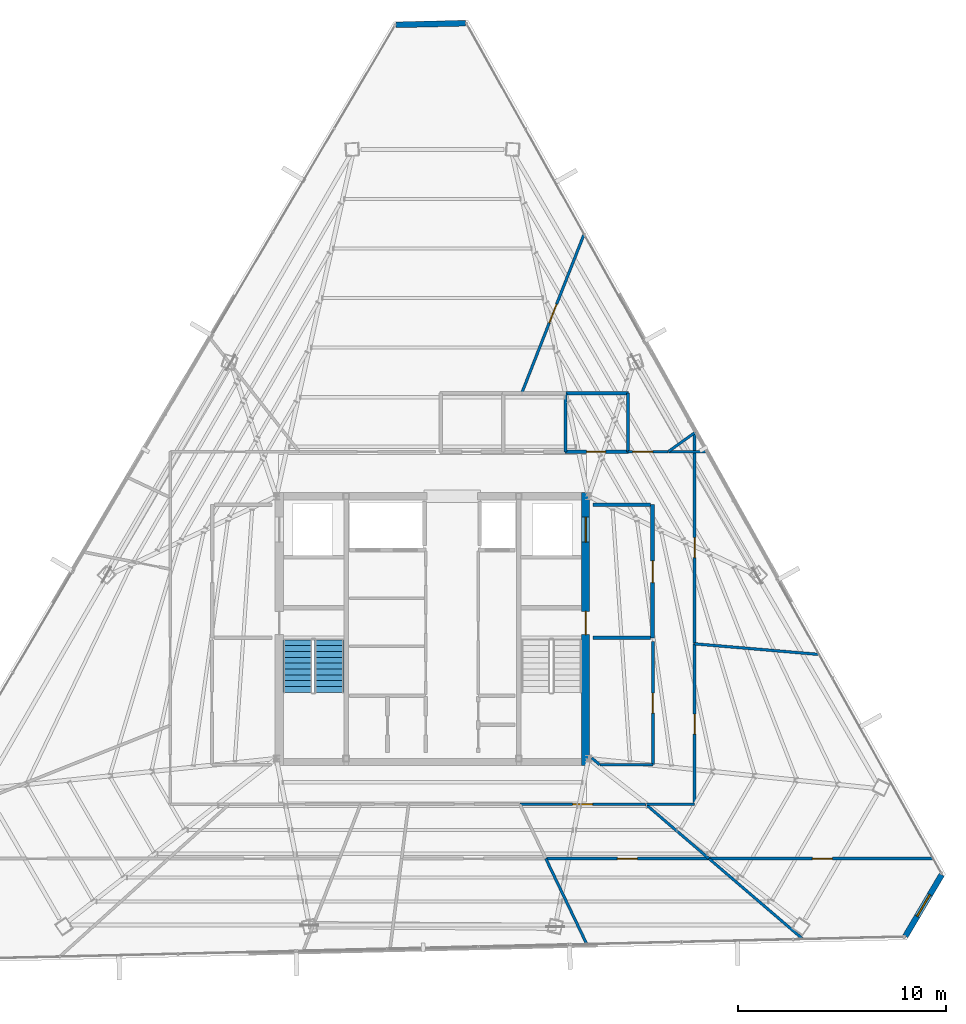
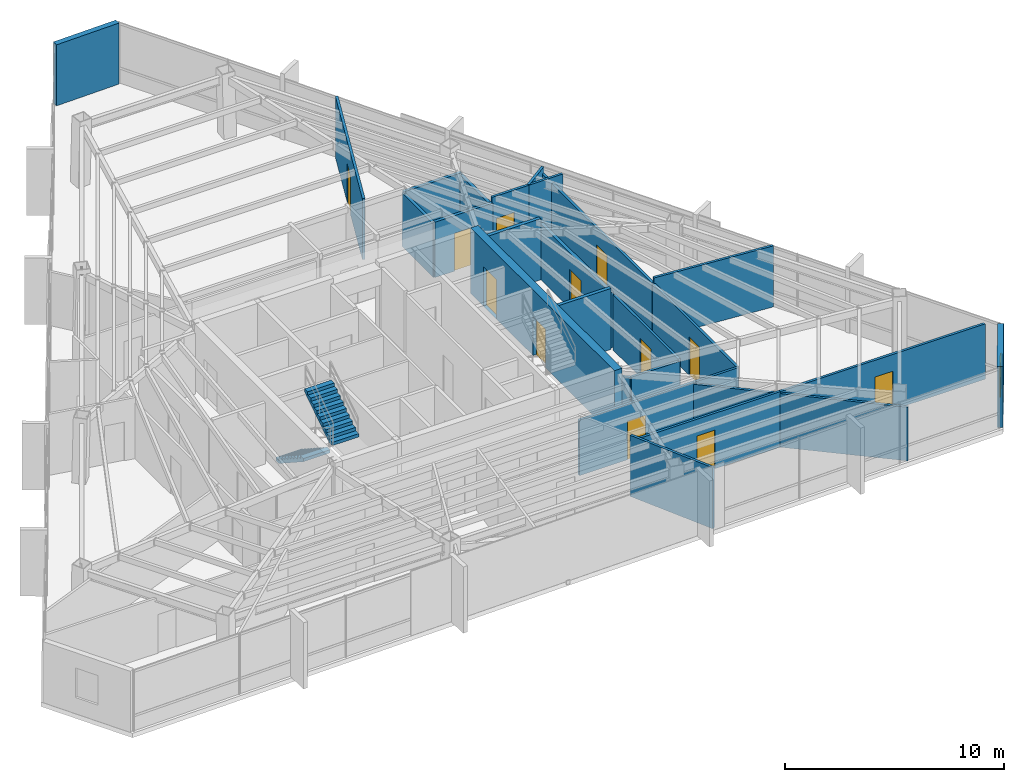
# One storey, part 44 of 47: 27 walls, 12 doors, 2 stair flights, 1 window, 13 openings, 1 element without a shape of its own.
"""IFC4 building model written with IfcOpenShell, lengths in metres."""

import ifcopenshell
import ifcopenshell.guid

model = None  # the IFC model being written
_history = None  # IfcOwnerHistory: only IFC2X3 demands one
_inside = {}  # id of a spatial element -> (the spatial element, [elements in it])
_under = {}  # id of a project, library or spatial element -> (it, [spatial elements below it])
_declared = {}  # id of a project -> (the project, [libraries it declares])
_typed = {}  # id of a type object -> (the type object, [elements of that type])
_made_of = {}  # id of a material, layer set ... -> (it, [elements and type objects made of it])


def new_model(schema):
    """Start an empty IFC model of exactly this schema.

    Asked for "IFC4X3", IfcOpenShell would pick the latest addendum, in which some entities
    have other attributes; the version numbers below select the first issue.
    IFC2X3 requires an IfcOwnerHistory on every rooted entity: one is made here for all.
    """
    global model, _history
    if schema == "IFC4X3":
        model = ifcopenshell.file(schema_version=(4, 3, 0, 0))
    else:
        model = ifcopenshell.file(schema=schema)
    _inside.clear()
    _under.clear()
    _declared.clear()
    _typed.clear()
    _made_of.clear()
    _history = None
    if model.schema == "IFC2X3":
        org = make("IfcOrganization", Name="unknown")
        user = make(
            "IfcPersonAndOrganization",
            ThePerson=make("IfcPerson", FamilyName="unknown"),
            TheOrganization=org,
        )
        app = make(
            "IfcApplication",
            ApplicationDeveloper=org,
            Version="unknown",
            ApplicationFullName="unknown",
            ApplicationIdentifier="unknown",
        )
        _history = make(
            "IfcOwnerHistory",
            OwningUser=user,
            OwningApplication=app,
            ChangeAction="ADDED",
            CreationDate=0,
        )
    return model


def make(cls, **values):
    """One entity of the class cls with the attributes given. An attribute that is None is left unset."""
    return model.create_entity(
        cls, **{name: value for name, value in values.items() if value is not None}
    )


def rooted(cls, **values):
    """An entity with a GlobalId (a new one), such as an element, a storey or a relation."""
    return make(cls, GlobalId=ifcopenshell.guid.new(), OwnerHistory=_history, **values)


def si_unit(unit_type, name, prefix=None):
    """IfcSIUnit, for example si_unit("LENGTHUNIT", "METRE", prefix="MILLI")."""
    return make("IfcSIUnit", UnitType=unit_type, Prefix=prefix, Name=name)


def assignment(units):
    """IfcUnitAssignment: the units of a project."""
    return None if units is None else make("IfcUnitAssignment", Units=units)


def point(xyz):
    """IfcCartesianPoint."""
    return None if xyz is None else make("IfcCartesianPoint", Coordinates=xyz)


def direction(xyz):
    """IfcDirection."""
    return None if xyz is None else make("IfcDirection", DirectionRatios=xyz)


def frame(location, z_axis=None, x_axis=None):
    """IfcAxis2Placement3D, a coordinate frame: its origin and axes. An axis left out is left unset."""
    return make(
        "IfcAxis2Placement3D",
        Location=point(location),
        Axis=direction(z_axis),
        RefDirection=direction(x_axis),
    )


def frame_2d(location, x_axis=None):
    """IfcAxis2Placement2D, a coordinate frame in the plane: its origin and x axis."""
    return make(
        "IfcAxis2Placement2D", Location=point(location), RefDirection=direction(x_axis)
    )


def origin():
    """The frame at (0, 0, 0) with its axes left unset."""
    return frame((0.0, 0.0, 0.0))


def place(relative_to, where):
    """IfcLocalPlacement: puts the frame where relative to a parent placement (None: the world)."""
    return make(
        "IfcLocalPlacement", PlacementRelTo=relative_to, RelativePlacement=where
    )


def context(
    kind, dimensions, precision=None, world=None, true_north=None, identifier=None
):
    """IfcGeometricRepresentationContext, for example the 3D "Model" context."""
    return make(
        "IfcGeometricRepresentationContext",
        ContextIdentifier=identifier,
        ContextType=kind,
        CoordinateSpaceDimension=dimensions,
        Precision=precision,
        WorldCoordinateSystem=world,
        TrueNorth=true_north,
    )


def subcontext(parent, identifier, kind, view, scale=None):
    """IfcGeometricRepresentationSubContext, for example "Body" below "Model"."""
    return make(
        "IfcGeometricRepresentationSubContext",
        ContextIdentifier=identifier,
        ContextType=kind,
        ParentContext=parent,
        TargetScale=scale,
        TargetView=view,
    )


def project(units=None, contexts=None):
    """IfcProject with its units and contexts."""
    return rooted(
        "IfcProject",
        Name="project",
        RepresentationContexts=contexts,
        UnitsInContext=assignment(units),
    )


def spatial(cls, under=None, at=None, **own):
    """A site, building, storey or space (cls), placed at a placement, below another one or the project."""
    s = rooted(cls, ObjectPlacement=at, **own)
    if under is not None:
        _under.setdefault(under.id(), (under, []))[1].append(s)
    return s


def polyline(points):
    """IfcPolyline through the points."""
    return make("IfcPolyline", Points=[point(p) for p in points])


def profile(cls, at=None, kind="AREA", **sizes):
    """A parametric profile (cls). Its sizes go by their IFC names, for example OverallWidth=200.0."""
    return make(cls, ProfileType=kind, Position=at, **sizes)


def rectangle(**sizes):
    """IfcRectangleProfileDef."""
    return profile("IfcRectangleProfileDef", **sizes)


def outline(outer, holes=None, kind="AREA"):
    """IfcArbitraryClosedProfileDef: a profile drawn as a closed curve; with holes, ...WithVoids."""
    if holes is None:
        return make("IfcArbitraryClosedProfileDef", ProfileType=kind, OuterCurve=outer)
    return make(
        "IfcArbitraryProfileDefWithVoids",
        ProfileType=kind,
        OuterCurve=outer,
        InnerCurves=holes,
    )


def extrude(swept, where, along, depth):
    """IfcExtrudedAreaSolid: the profile swept, set in the frame where, extruded along a direction by depth."""
    return make(
        "IfcExtrudedAreaSolid",
        SweptArea=swept,
        Position=where,
        ExtrudedDirection=direction(along),
        Depth=depth,
    )


def shape(context_of_items, identifier, shape_type, items):
    """IfcShapeRepresentation: the items that make up one representation, for example the "Body"."""
    return make(
        "IfcShapeRepresentation",
        ContextOfItems=context_of_items,
        RepresentationIdentifier=identifier,
        RepresentationType=shape_type,
        Items=items,
    )


def material(Name=None, Category=None):
    """IfcMaterial."""
    return make("IfcMaterial", Name=Name, Category=Category)


def layer(
    of_material, thickness, ventilated=None, Name=None, Category=None, Priority=None
):
    """IfcMaterialLayer: one layer of a wall or slab, of a material (None: an air gap)."""
    return make(
        "IfcMaterialLayer",
        Material=of_material,
        LayerThickness=thickness,
        IsVentilated=ventilated,
        Name=Name,
        Category=Category,
        Priority=Priority,
    )


def layer_set(layers, Name=None):
    """IfcMaterialLayerSet."""
    return make("IfcMaterialLayerSet", MaterialLayers=layers, LayerSetName=Name)


def made_of(thing, what):
    """Note that an element or type object is made of a material, layer set ...; save() writes the relation."""
    if what is not None:
        _made_of.setdefault(what.id(), (what, []))[1].append(thing)
    return thing


def type_object(cls, material=None, **own):
    """A type object (cls), such as IfcWallType, which elements share."""
    return made_of(rooted(cls, **own), material)


def element(
    cls,
    number,
    at=None,
    inside=None,
    cuts=None,
    type_object=None,
    material=None,
    context=None,
    identifier="Body",
    shape_type=None,
    held_by="IfcProductDefinitionShape",
    body=None,
    shapes=None,
    **own,
):
    """One element of the class cls, such as IfcWall. Its Tag is "e" and its number.

    at: its placement. inside: the storey or other place that contains it. cuts: it is an
    opening in that element (IfcRelVoidsElement). A single representation is given by context,
    identifier, shape_type and body (its items); several are given by shapes. held_by: the class
    of the entity that holds the representations. save() writes the other relations.
    """
    e = rooted(cls, Tag="e%d" % number, ObjectPlacement=at, **own)
    if body is not None:
        shapes = [shape(context, identifier, shape_type, body)]
    if shapes is not None:
        e.Representation = make(held_by, Representations=shapes)
    if inside is not None:
        _inside.setdefault(inside.id(), (inside, []))[1].append(e)
    if cuts is not None:
        rooted(
            "IfcRelVoidsElement", RelatingBuildingElement=cuts, RelatedOpeningElement=e
        )
    if type_object is not None:
        _typed.setdefault(type_object.id(), (type_object, []))[1].append(e)
    return made_of(e, material)


def fill(opening, filler):
    """IfcRelFillsElement: the door or window that sits in an opening."""
    return rooted(
        "IfcRelFillsElement",
        RelatingOpeningElement=opening,
        RelatedBuildingElement=filler,
    )


def aggregate(whole, parts):
    """IfcRelAggregates: a whole, such as a stair, and the parts it consists of."""
    return rooted("IfcRelAggregates", RelatingObject=whole, RelatedObjects=parts)


def save(model, path):
    """Write the relations noted so far, then the file.

    IfcRelAggregates (storeys below a building ...), IfcRelContainedInSpatialStructure (elements
    in a storey), IfcRelDefinesByType, IfcRelAssociatesMaterial and IfcRelDeclares: one each for
    every whole, place, type object, material and project.
    """
    for whole, parts in _under.values():
        aggregate(whole, parts)
    for where, things in _inside.values():
        rooted(
            "IfcRelContainedInSpatialStructure",
            RelatedElements=things,
            RelatingStructure=where,
        )
    for kind, things in _typed.values():
        rooted("IfcRelDefinesByType", RelatedObjects=things, RelatingType=kind)
    for what, things in _made_of.values():
        rooted("IfcRelAssociatesMaterial", RelatedObjects=things, RelatingMaterial=what)
    for by, libraries in _declared.values():
        rooted("IfcRelDeclares", RelatingContext=by, RelatedDefinitions=libraries)
    model.write(path)


model = new_model("IFC4")

# Units and contexts
model_context = context("Model", 3, precision=1e-05, world=origin(), true_north=direction((0.0, 1.0)))
body_context = subcontext(model_context, "Body", "Model", "MODEL_VIEW")
ifc_project = project(units=[si_unit("LENGTHUNIT", "METRE"), si_unit("AREAUNIT", "SQUARE_METRE"), si_unit("VOLUMEUNIT", "CUBIC_METRE"), si_unit("PLANEANGLEUNIT", "RADIAN"), si_unit("MASSUNIT", "GRAM", prefix="KILO")], contexts=[model_context])

# Site, building, storey
site_placement = place(None, origin())
site = spatial("IfcSite", under=ifc_project, at=site_placement, CompositionType="ELEMENT")
building_placement = place(site_placement, origin())
building = spatial("IfcBuilding", under=site, at=building_placement, Name="Caelisora Broadcast Tower", CompositionType="ELEMENT")
storey_placement = place(building_placement, frame((0.0, 0.0, 255.39990234375)))
storey = spatial("IfcBuildingStorey", under=building, at=storey_placement, Name="L67", CompositionType="ELEMENT", Elevation=255.39990234375)

# Wall, openings, doors
ifc_material_1 = material(Name="Concrete 40 MPa (AS 3600 N40)", Category="concrete")
ifc_layer_1 = layer(ifc_material_1, 0.39990234375, Name="Concrete 40 MPa (AS 3600 N40)")
ifc_layer_set_1 = layer_set([ifc_layer_1], Name="Concrete 40 MPa (AS 3600 N40)")
wall_type_1 = type_object("IfcWallType", Name="CW3", PredefinedType="SHEAR", material=ifc_layer_set_1)
wall_1_placement = place(storey_placement, frame((45.360107421875, 17.050048828125, 0.0), z_axis=(0.0, 0.0, 1.0), x_axis=(0.0, 1.0, 0.0)))
wall_1 = element("IfcWall", 1, at=wall_1_placement, inside=storey, type_object=wall_type_1, Name="L67 core shear wall CW3", PredefinedType="SHEAR", context=body_context, shape_type="SweptSolid", body=[
    extrude(rectangle(XDim=13.125, YDim=0.39990234375, at=frame_2d((6.5625, 0.0))), origin(), (0.0, 0.0, 1.0), 3.650146484375),
])
opening_1_placement = place(wall_1_placement, frame((6.300048828125, 0.0, 0.0)))
opening_1 = element("IfcOpeningElement", 2, at=opening_1_placement, cuts=wall_1, Name="Opening FD04", PredefinedType="OPENING", context=body_context, shape_type="SweptSolid", body=[
    extrude(rectangle(XDim=1.1201171875, YDim=2.14990234375, at=frame_2d((0.56005859375, 1.074951171875))), frame((0.0, 0.2119140625, 0.0), z_axis=(0.0, -1.0, 0.0), x_axis=(1.0, 0.0, 0.0)), (0.0, 0.0, 1.0), 0.423828125),
])
opening_2_placement = place(wall_1_placement, frame((10.75, 0.0, 0.0)))
opening_2 = element("IfcOpeningElement", 3, at=opening_2_placement, cuts=wall_1, Name="Opening LD04", PredefinedType="OPENING", context=body_context, shape_type="SweptSolid", body=[
    extrude(rectangle(XDim=1.199951171875, YDim=2.199951171875, at=frame_2d((0.60009765625, 1.10009765625))), frame((0.0, 0.2119140625, 0.0), z_axis=(0.0, -1.0, 0.0), x_axis=(1.0, 0.0, 0.0)), (0.0, 0.0, 1.0), 0.423828125),
])
ifc_material_2 = material(Name="Pressurised Fire-Isolated Stair Door", Category="steel")
door_type_1 = type_object("IfcDoorType", Name="FD04", OperationType="NOTDEFINED", PredefinedType="DOOR", material=ifc_material_2)
door_1_placement = place(opening_1_placement, origin())
door_1 = element("IfcDoor", 4, at=door_1_placement, inside=storey, type_object=door_type_1, Name="L67 door FD04 (L67-DR-ST2)", OperationType="SINGLE_SWING_RIGHT", OverallHeight=2.14990234375, OverallWidth=1.1201171875, PredefinedType="DOOR", context=body_context, shape_type="SweptSolid", body=[
    extrude(rectangle(XDim=1.1201171875, YDim=2.14990234375, at=frame_2d((0.56005859375, 1.074951171875))), frame((0.0, 0.02490234375, 0.0), z_axis=(0.0, -1.0, 0.0), x_axis=(1.0, 0.0, 0.0)), (0.0, 0.0, 1.0), 0.050048828125),
])
fill(opening_1, door_1)
ifc_material_3 = material(Name="Emergency Firefighting Lift Sliding Landing Door", Category="steel")
door_type_2 = type_object("IfcDoorType", Name="LD04", OperationType="NOTDEFINED", PredefinedType="DOOR", material=ifc_material_3)
door_2_placement = place(opening_2_placement, origin())
door_2 = element("IfcDoor", 5, at=door_2_placement, inside=storey, type_object=door_type_2, Name="L67 door LD04 (L67-LD-FFL2)", OperationType="SLIDING_TO_RIGHT", OverallHeight=2.199951171875, OverallWidth=1.199951171875, PredefinedType="DOOR", context=body_context, shape_type="SweptSolid", body=[
    extrude(rectangle(XDim=1.199951171875, YDim=2.199951171875, at=frame_2d((0.60009765625, 1.10009765625))), frame((0.0, 0.02490234375, 0.0), z_axis=(0.0, -1.0, 0.0), x_axis=(1.0, 0.0, 0.0)), (0.0, 0.0, 1.0), 0.050048828125),
])
fill(opening_2, door_2)

# Wall, opening, window
ifc_material_4 = material(Name="Insulated Terracotta Spandrel Wall System", Category="masonry")
ifc_layer_2 = layer(ifc_material_4, 0.280029296875, Name="Insulated Terracotta Spandrel Wall System")
ifc_layer_set_2 = layer_set([ifc_layer_2], Name="Insulated Terracotta Spandrel Wall System")
wall_type_2 = type_object("IfcWallType", Name="EW1", PredefinedType="STANDARD", material=ifc_layer_set_2)
wall_2_placement = place(storey_placement, frame((62.479736328125, 11.812255859375, 0.0), z_axis=(0.0, 0.0, 1.0), x_axis=(-0.508278667551, -0.861192659114, 0.0)))
wall_2 = element("IfcWall", 6, at=wall_2_placement, inside=storey, type_object=wall_type_2, Name="L67 exterior envelope wall EW1", PredefinedType="STANDARD", context=body_context, shape_type="SweptSolid", body=[
    extrude(rectangle(XDim=3.431884765625, YDim=0.280029296875, at=frame_2d((1.7158203125, 0.0))), origin(), (0.0, 0.0, 1.0), 3.400146484375),
])
opening_3_placement = place(wall_2_placement, frame((1.1201171875, 0.0, 0.89990234375)))
opening_3 = element("IfcOpeningElement", 7, at=opening_3_placement, cuts=wall_2, Name="Opening W03", PredefinedType="OPENING", context=body_context, shape_type="SweptSolid", body=[
    extrude(rectangle(XDim=1.199951171875, YDim=1.64990234375, at=frame_2d((0.60009765625, 0.824951171875))), frame((0.0, 0.152099609375, 0.0), z_axis=(0.0, -1.0, 0.0), x_axis=(1.0, 0.0, 0.0)), (0.0, 0.0, 1.0), 0.303955078125),
])
ifc_material_5 = material(Name="Double Glazed Corner Vision Window", Category="glass")
window_type = type_object("IfcWindowType", Name="W03", PartitioningType="SINGLE_PANEL", PredefinedType="WINDOW", material=ifc_material_5)
window_placement = place(opening_3_placement, origin())
window = element("IfcWindow", 8, at=window_placement, inside=storey, type_object=window_type, Name="L67 window W03 (L67-WN-CH0)", OverallHeight=1.64990234375, OverallWidth=1.199951171875, PartitioningType="SINGLE_PANEL", PredefinedType="WINDOW", context=body_context, shape_type="SweptSolid", body=[
    extrude(rectangle(XDim=1.199951171875, YDim=1.64990234375, at=frame_2d((0.60009765625, 0.824951171875))), frame((0.0, 0.030029296875, 0.0), z_axis=(0.0, -1.0, 0.0), x_axis=(1.0, 0.0, 0.0)), (0.0, 0.0, 1.0), 0.06005859375),
])
fill(opening_3, window)

# Wall
wall_3_placement = place(storey_placement, frame((36.256103515625, 52.664794921875, 0.0), z_axis=(0.0, 0.0, 1.0), x_axis=(0.999716508199, 0.023809729812, 0.0)))
element("IfcWall", 9, at=wall_3_placement, inside=storey, type_object=wall_type_2, Name="L67 exterior envelope wall EW1", PredefinedType="STANDARD", context=body_context, shape_type="SweptSolid", body=[
    extrude(rectangle(XDim=3.3427734375, YDim=0.280029296875, at=frame_2d((1.67138671875, 0.0))), origin(), (0.0, 0.0, 1.0), 3.400146484375),
])

# Wall, opening, door
ifc_material_6 = material(Name="Fire-Rated Gypsum Shaft and Compartment Wall", Category="gypsum")
ifc_layer_3 = layer(ifc_material_6, 0.179931640625, Name="Fire-Rated Gypsum Shaft and Compartment Wall")
ifc_layer_set_3 = layer_set([ifc_layer_3], Name="Fire-Rated Gypsum Shaft and Compartment Wall")
wall_type_3 = type_object("IfcWallType", Name="PW2", PredefinedType="PARTITIONING", material=ifc_layer_set_3)
wall_4_placement = place(storey_placement, frame((48.580078125, 23.199951171875, 0.0), z_axis=(0.0, 0.0, 1.0), x_axis=(0.0, 1.0, 0.0)))
wall_4 = element("IfcWall", 10, at=wall_4_placement, inside=storey, type_object=wall_type_3, Name="L67 fire compartment wall PW2", PredefinedType="PARTITIONING", context=body_context, shape_type="SweptSolid", body=[
    extrude(rectangle(XDim=6.400146484375, YDim=0.179931640625, at=frame_2d((3.2001953125, 0.0))), origin(), (0.0, 0.0, 1.0), 3.085205078125),
])
opening_4_placement = place(wall_4_placement, frame((2.64990234375, 0.0, 0.0)))
opening_4 = element("IfcOpeningElement", 11, at=opening_4_placement, cuts=wall_4, Name="Opening FD02", PredefinedType="OPENING", context=body_context, shape_type="SweptSolid", body=[
    extrude(rectangle(XDim=1.050048828125, YDim=2.14990234375, at=frame_2d((0.52490234375, 1.074951171875))), frame((0.0, 0.10205078125, 0.0), z_axis=(0.0, -1.0, 0.0), x_axis=(1.0, 0.0, 0.0)), (0.0, 0.0, 1.0), 0.203857421875),
])
ifc_material_7 = material(Name="Single-Leaf Steel Fire Lobby Door", Category="steel")
door_type_3 = type_object("IfcDoorType", Name="FD02", OperationType="NOTDEFINED", PredefinedType="DOOR", material=ifc_material_7)
door_3_placement = place(opening_4_placement, origin())
door_3 = element("IfcDoor", 12, at=door_3_placement, inside=storey, type_object=door_type_3, Name="L67 door FD02 (L67-DR-P04D1)", OperationType="SINGLE_SWING_LEFT", OverallHeight=2.14990234375, OverallWidth=1.050048828125, PredefinedType="DOOR", context=body_context, shape_type="SweptSolid", body=[
    extrude(rectangle(XDim=1.050048828125, YDim=2.14990234375, at=frame_2d((0.52490234375, 1.074951171875))), frame((0.0, 0.02490234375, 0.0), z_axis=(0.0, -1.0, 0.0), x_axis=(1.0, 0.0, 0.0)), (0.0, 0.0, 1.0), 0.050048828125),
])
fill(opening_4, door_3)

# Walls
for number, where, z_axis, x_axis, name in (
    (13, (45.719970703125, 23.199951171875, 0.0), (0.0, 0.0, 1.0), (1.0, 0.0, 0.0), "L67 fire compartment wall PW2"),
    (14, (45.719970703125, 29.60009765625, 0.0), (0.0, 0.0, 1.0), (1.0, 0.0, 0.0), "L67 fire compartment wall PW2"),
):
    element("IfcWall", number, at=place(storey_placement, frame(where, z_axis=z_axis, x_axis=x_axis)), inside=storey, type_object=wall_type_3, Name=name, PredefinedType="PARTITIONING", context=body_context, shape_type="SweptSolid", body=[
        extrude(rectangle(XDim=2.760009765625, YDim=0.179931640625, at=frame_2d((1.3798828125, 0.0))), origin(), (0.0, 0.0, 1.0), 3.400146484375),
    ])

# Wall, opening, door
ifc_material_8 = material(Name="Acoustic Steel-Stud Plasterboard Partition", Category="gypsum")
ifc_layer_4 = layer(ifc_material_8, 0.1298828125, Name="Acoustic Steel-Stud Plasterboard Partition")
ifc_layer_set_4 = layer_set([ifc_layer_4], Name="Acoustic Steel-Stud Plasterboard Partition")
wall_type_4 = type_object("IfcWallType", Name="PW3", PredefinedType="PARTITIONING", material=ifc_layer_set_4)
wall_5_placement = place(storey_placement, frame((51.294921875, 12.590087890625, 0.0), z_axis=(0.0, 0.0, 1.0), x_axis=(1.0, 0.0, 0.0)))
wall_5 = element("IfcWall", 15, at=wall_5_placement, inside=storey, type_object=wall_type_4, Name="L67 internal partition PW3", PredefinedType="PARTITIONING", context=body_context, shape_type="SweptSolid", body=[
    extrude(rectangle(XDim=10.785400390625, YDim=0.1298828125, at=frame_2d((5.392578125, 0.0))), origin(), (0.0, 0.0, 1.0), 3.085205078125),
])
opening_5_placement = place(wall_5_placement, frame((4.967041015625, 0.0, 0.0)))
opening_5 = element("IfcOpeningElement", 16, at=opening_5_placement, cuts=wall_5, Name="Opening D01", PredefinedType="OPENING", context=body_context, shape_type="SweptSolid", body=[
    extrude(rectangle(XDim=0.9599609375, YDim=2.14990234375, at=frame_2d((0.47998046875, 1.074951171875))), frame((0.0, 0.076904296875, 0.0), z_axis=(0.0, -1.0, 0.0), x_axis=(1.0, 0.0, 0.0)), (0.0, 0.0, 1.0), 0.15380859375),
])
ifc_material_9 = material(Name="Solid-Core Timber Acoustic Office Door", Category="wood")
door_type_4 = type_object("IfcDoorType", Name="D01", OperationType="NOTDEFINED", PredefinedType="DOOR", material=ifc_material_9)
door_4_placement = place(opening_5_placement, origin())
door_4 = element("IfcDoor", 17, at=door_4_placement, inside=storey, type_object=door_type_4, Name="L67 door D01 (L67-DR-P33D1)", OperationType="SINGLE_SWING_RIGHT", OverallHeight=2.14990234375, OverallWidth=0.9599609375, PredefinedType="DOOR", context=body_context, shape_type="SweptSolid", body=[
    extrude(rectangle(XDim=0.9599609375, YDim=2.14990234375, at=frame_2d((0.47998046875, 1.074951171875))), frame((0.0, 0.02490234375, 0.0), z_axis=(0.0, -1.0, 0.0), x_axis=(1.0, 0.0, 0.0)), (0.0, 0.0, 1.0), 0.050048828125),
])
fill(opening_5, door_4)

wall_6_placement = place(storey_placement, frame((50.60009765625, 22.9150390625, 0.0), z_axis=(0.0, 0.0, 1.0), x_axis=(0.0, 1.0, 0.0)))
wall_6 = element("IfcWall", 18, at=wall_6_placement, inside=storey, type_object=wall_type_4, Name="L67 internal partition PW3", PredefinedType="PARTITIONING", context=body_context, shape_type="SweptSolid", body=[
    extrude(rectangle(XDim=10.18212890625, YDim=0.1298828125, at=frame_2d((5.091064453125, 0.0))), origin(), (0.0, 0.0, 1.0), 3.085205078125),
])
opening_6_placement = place(wall_6_placement, frame((4.135009765625, 0.0, 0.0)))
opening_6 = element("IfcOpeningElement", 19, at=opening_6_placement, cuts=wall_6, Name="Opening D01", PredefinedType="OPENING", context=body_context, shape_type="SweptSolid", body=[
    extrude(rectangle(XDim=0.9599609375, YDim=2.14990234375, at=frame_2d((0.47998046875, 1.074951171875))), frame((0.0, 0.076904296875, 0.0), z_axis=(0.0, -1.0, 0.0), x_axis=(1.0, 0.0, 0.0)), (0.0, 0.0, 1.0), 0.15380859375),
])
door_5_placement = place(opening_6_placement, origin())
door_5 = element("IfcDoor", 20, at=door_5_placement, inside=storey, type_object=door_type_4, Name="L67 door D01 (L67-DR-P35D1)", OperationType="SINGLE_SWING_LEFT", OverallHeight=2.14990234375, OverallWidth=0.9599609375, PredefinedType="DOOR", context=body_context, shape_type="SweptSolid", body=[
    extrude(rectangle(XDim=0.9599609375, YDim=2.14990234375, at=frame_2d((0.47998046875, 1.074951171875))), frame((0.0, 0.02490234375, 0.0), z_axis=(0.0, -1.0, 0.0), x_axis=(1.0, 0.0, 0.0)), (0.0, 0.0, 1.0), 0.050048828125),
])
fill(opening_6, door_5)

wall_7_placement = place(storey_placement, frame((42.2919921875, 34.955078125, 0.0), z_axis=(0.0, 0.0, 1.0), x_axis=(0.364993246942, 0.931010166264, 0.0)))
wall_7 = element("IfcWall", 21, at=wall_7_placement, inside=storey, type_object=wall_type_4, Name="L67 internal partition PW3", PredefinedType="PARTITIONING", context=body_context, shape_type="SweptSolid", body=[
    extrude(rectangle(XDim=8.229248046875, YDim=0.1298828125, at=frame_2d((4.11474609375, 0.0))), origin(), (0.0, 0.0, 1.0), 3.400146484375),
])
opening_7_placement = place(wall_7_placement, frame((3.634765625, 0.0, 0.0)))
opening_7 = element("IfcOpeningElement", 22, at=opening_7_placement, cuts=wall_7, Name="Opening D01", PredefinedType="OPENING", context=body_context, shape_type="SweptSolid", body=[
    extrude(rectangle(XDim=0.9599609375, YDim=2.14990234375, at=frame_2d((0.47998046875, 1.074951171875))), frame((0.0, 0.076904296875, 0.0), z_axis=(0.0, -1.0, 0.0), x_axis=(1.0, 0.0, 0.0)), (0.0, 0.0, 1.0), 0.15380859375),
])
door_6_placement = place(opening_7_placement, origin())
door_6 = element("IfcDoor", 23, at=door_6_placement, inside=storey, type_object=door_type_4, Name="L67 door D01 (L67-DR-RSC01)", OperationType="SINGLE_SWING_RIGHT", OverallHeight=2.14990234375, OverallWidth=0.9599609375, PredefinedType="DOOR", context=body_context, shape_type="SweptSolid", body=[
    extrude(rectangle(XDim=0.9599609375, YDim=2.14990234375, at=frame_2d((0.47998046875, 1.074951171875))), frame((0.0, 0.02490234375, 0.0), z_axis=(0.0, -1.0, 0.0), x_axis=(1.0, 0.0, 0.0)), (0.0, 0.0, 1.0), 0.050048828125),
])
fill(opening_7, door_6)

wall_8_placement = place(storey_placement, frame((43.455078125, 12.590087890625, 0.0), z_axis=(0.0, 0.0, 1.0), x_axis=(1.0, 0.0, 0.0)))
wall_8 = element("IfcWall", 24, at=wall_8_placement, inside=storey, type_object=wall_type_4, Name="L67 internal partition PW3", PredefinedType="PARTITIONING", context=body_context, shape_type="SweptSolid", body=[
    extrude(rectangle(XDim=7.829833984375, YDim=0.1298828125, at=frame_2d((3.9150390625, 0.0))), origin(), (0.0, 0.0, 1.0), 3.085205078125),
])
opening_8_placement = place(wall_8_placement, frame((3.43505859375, 0.0, 0.0)))
opening_8 = element("IfcOpeningElement", 25, at=opening_8_placement, cuts=wall_8, Name="Opening D01", PredefinedType="OPENING", context=body_context, shape_type="SweptSolid", body=[
    extrude(rectangle(XDim=0.9599609375, YDim=2.14990234375, at=frame_2d((0.47998046875, 1.074951171875))), frame((0.0, 0.076904296875, 0.0), z_axis=(0.0, -1.0, 0.0), x_axis=(1.0, 0.0, 0.0)), (0.0, 0.0, 1.0), 0.15380859375),
])
door_7_placement = place(opening_8_placement, origin())
door_7 = element("IfcDoor", 26, at=door_7_placement, inside=storey, type_object=door_type_4, Name="L67 door D01 (L67-DR-P39D1)", OperationType="SINGLE_SWING_LEFT", OverallHeight=2.14990234375, OverallWidth=0.9599609375, PredefinedType="DOOR", context=body_context, shape_type="SweptSolid", body=[
    extrude(rectangle(XDim=0.9599609375, YDim=2.14990234375, at=frame_2d((0.47998046875, 1.074951171875))), frame((0.0, 0.02490234375, 0.0), z_axis=(0.0, -1.0, 0.0), x_axis=(1.0, 0.0, 0.0)), (0.0, 0.0, 1.0), 0.050048828125),
])
fill(opening_8, door_7)

wall_9_placement = place(storey_placement, frame((50.60009765625, 15.205078125, 0.0), z_axis=(0.0, 0.0, 1.0), x_axis=(0.0, 1.0, 0.0)))
wall_9 = element("IfcWall", 27, at=wall_9_placement, inside=storey, type_object=wall_type_4, Name="L67 internal partition PW3", PredefinedType="PARTITIONING", context=body_context, shape_type="SweptSolid", body=[
    extrude(rectangle(XDim=7.699951171875, YDim=0.1298828125, at=frame_2d((3.85009765625, 0.0))), origin(), (0.0, 0.0, 1.0), 3.085205078125),
])
opening_9_placement = place(wall_9_placement, frame((3.3701171875, 0.0, 0.0)))
opening_9 = element("IfcOpeningElement", 28, at=opening_9_placement, cuts=wall_9, Name="Opening D01", PredefinedType="OPENING", context=body_context, shape_type="SweptSolid", body=[
    extrude(rectangle(XDim=0.9599609375, YDim=2.14990234375, at=frame_2d((0.47998046875, 1.074951171875))), frame((0.0, 0.076904296875, 0.0), z_axis=(0.0, -1.0, 0.0), x_axis=(1.0, 0.0, 0.0)), (0.0, 0.0, 1.0), 0.15380859375),
])
door_8_placement = place(opening_9_placement, origin())
door_8 = element("IfcDoor", 29, at=door_8_placement, inside=storey, type_object=door_type_4, Name="L67 door D01 (L67-DR-P40D1)", OperationType="SINGLE_SWING_RIGHT", OverallHeight=2.14990234375, OverallWidth=0.9599609375, PredefinedType="DOOR", context=body_context, shape_type="SweptSolid", body=[
    extrude(rectangle(XDim=0.9599609375, YDim=2.14990234375, at=frame_2d((0.47998046875, 1.074951171875))), frame((0.0, 0.02490234375, 0.0), z_axis=(0.0, -1.0, 0.0), x_axis=(1.0, 0.0, 0.0)), (0.0, 0.0, 1.0), 0.050048828125),
])
fill(opening_9, door_8)

# Walls
wall_10_placement = place(storey_placement, frame((50.60498046875, 22.909912109375, 0.0), z_axis=(0.0, 0.0, 1.0), x_axis=(0.996393480537, -0.084853001969, 0.0)))
element("IfcWall", 30, at=wall_10_placement, inside=storey, type_object=wall_type_4, Name="L67 internal partition PW3", PredefinedType="PARTITIONING", context=body_context, shape_type="SweptSolid", body=[
    extrude(rectangle(XDim=6.013427734375, YDim=0.1298828125, at=frame_2d((3.0068359375, 0.0))), origin(), (0.0, 0.0, 1.0), 3.400146484375),
])
wall_11_placement = place(storey_placement, frame((51.2939453125, 12.5869140625, 0.0), z_axis=(0.0, 0.0, 1.0), x_axis=(0.759126371021, -0.650943279265, 0.0)))
element("IfcWall", 31, at=wall_11_placement, inside=storey, type_object=wall_type_4, Name="L67 internal partition PW3", PredefinedType="PARTITIONING", context=body_context, shape_type="SweptSolid", body=[
    extrude(rectangle(XDim=5.95556640625, YDim=0.1298828125, at=frame_2d((2.977783203125, 0.0))), origin(), (0.0, 0.0, 1.0), 2.985107421875),
])

# Wall, opening, door
wall_12_placement = place(storey_placement, frame((42.205078125, 15.199951171875, 0.0), z_axis=(0.0, 0.0, 1.0), x_axis=(1.0, 0.0, 0.0)))
wall_12 = element("IfcWall", 32, at=wall_12_placement, inside=storey, type_object=wall_type_4, Name="L67 internal partition PW3", PredefinedType="PARTITIONING", context=body_context, shape_type="SweptSolid", body=[
    extrude(rectangle(XDim=6.0400390625, YDim=0.1298828125, at=frame_2d((3.02001953125, 0.0))), origin(), (0.0, 0.0, 1.0), 3.085205078125),
])
opening_10_placement = place(wall_12_placement, frame((2.5400390625, 0.0, 0.0)))
opening_10 = element("IfcOpeningElement", 33, at=opening_10_placement, cuts=wall_12, Name="Opening D01", PredefinedType="OPENING", context=body_context, shape_type="SweptSolid", body=[
    extrude(rectangle(XDim=0.9599609375, YDim=2.14990234375, at=frame_2d((0.47998046875, 1.074951171875))), frame((0.0, 0.076904296875, 0.0), z_axis=(0.0, -1.0, 0.0), x_axis=(1.0, 0.0, 0.0)), (0.0, 0.0, 1.0), 0.15380859375),
])
door_9_placement = place(opening_10_placement, origin())
door_9 = element("IfcDoor", 34, at=door_9_placement, inside=storey, type_object=door_type_4, Name="L67 door D01 (L67-DR-P51D1)", OperationType="SINGLE_SWING_LEFT", OverallHeight=2.14990234375, OverallWidth=0.9599609375, PredefinedType="DOOR", context=body_context, shape_type="SweptSolid", body=[
    extrude(rectangle(XDim=0.9599609375, YDim=2.14990234375, at=frame_2d((0.47998046875, 1.074951171875))), frame((0.0, 0.02490234375, 0.0), z_axis=(0.0, -1.0, 0.0), x_axis=(1.0, 0.0, 0.0)), (0.0, 0.0, 1.0), 0.050048828125),
])
fill(opening_10, door_9)

wall_13_placement = place(storey_placement, frame((48.60009765625, 17.10498046875, 0.0), z_axis=(0.0, 0.0, 1.0), x_axis=(0.0, 1.0, 0.0)))
wall_13 = element("IfcWall", 35, at=wall_13_placement, inside=storey, type_object=wall_type_4, Name="L67 internal partition PW3", PredefinedType="PARTITIONING", context=body_context, shape_type="SweptSolid", body=[
    extrude(rectangle(XDim=5.909912109375, YDim=0.1298828125, at=frame_2d((2.955078125, 0.0))), origin(), (0.0, 0.0, 1.0), 3.085205078125),
])
opening_11_placement = place(wall_13_placement, frame((2.47509765625, 0.0, 0.0)))
opening_11 = element("IfcOpeningElement", 36, at=opening_11_placement, cuts=wall_13, Name="Opening D01", PredefinedType="OPENING", context=body_context, shape_type="SweptSolid", body=[
    extrude(rectangle(XDim=0.9599609375, YDim=2.14990234375, at=frame_2d((0.47998046875, 1.074951171875))), frame((0.0, 0.076904296875, 0.0), z_axis=(0.0, -1.0, 0.0), x_axis=(1.0, 0.0, 0.0)), (0.0, 0.0, 1.0), 0.15380859375),
])
door_10_placement = place(opening_11_placement, origin())
door_10 = element("IfcDoor", 37, at=door_10_placement, inside=storey, type_object=door_type_4, Name="L67 door D01 (L67-DR-P52D1)", OperationType="SINGLE_SWING_RIGHT", OverallHeight=2.14990234375, OverallWidth=0.9599609375, PredefinedType="DOOR", context=body_context, shape_type="SweptSolid", body=[
    extrude(rectangle(XDim=0.9599609375, YDim=2.14990234375, at=frame_2d((0.47998046875, 1.074951171875))), frame((0.0, 0.02490234375, 0.0), z_axis=(0.0, -1.0, 0.0), x_axis=(1.0, 0.0, 0.0)), (0.0, 0.0, 1.0), 0.050048828125),
])
fill(opening_11, door_10)

# Walls
wall_14_placement = place(storey_placement, frame((43.451904296875, 12.5849609375, 0.0), z_axis=(0.0, 0.0, 1.0), x_axis=(0.431820437418, -0.901959594344, 0.0)))
element("IfcWall", 38, at=wall_14_placement, inside=storey, type_object=wall_type_4, Name="L67 internal partition PW3", PredefinedType="PARTITIONING", context=body_context, shape_type="SweptSolid", body=[
    extrude(rectangle(XDim=4.568115234375, YDim=0.1298828125, at=frame_2d((2.2841796875, 0.0))), origin(), (0.0, 0.0, 1.0), 3.400146484375),
])
wall_15_placement = place(storey_placement, frame((48.25390625, 15.197021484375, 0.0), z_axis=(0.0, 0.0, 1.0), x_axis=(0.758618075829, -0.651535582317, 0.0)))
element("IfcWall", 39, at=wall_15_placement, inside=storey, type_object=wall_type_4, Name="L67 internal partition PW3", PredefinedType="PARTITIONING", context=body_context, shape_type="SweptSolid", body=[
    extrude(rectangle(XDim=3.996826171875, YDim=0.1298828125, at=frame_2d((1.99853515625, 0.0))), origin(), (0.0, 0.0, 1.0), 2.985107421875),
])
wall_16_placement = place(storey_placement, frame((46.044921875, 17.10009765625, 0.0), z_axis=(0.0, 0.0, 1.0), x_axis=(1.0, 0.0, 0.0)))
element("IfcWall", 40, at=wall_16_placement, inside=storey, type_object=wall_type_4, Name="L67 internal partition PW3", PredefinedType="PARTITIONING", context=body_context, shape_type="SweptSolid", body=[
    extrude(rectangle(XDim=2.550048828125, YDim=0.1298828125, at=frame_2d((1.27490234375, 0.0))), origin(), (0.0, 0.0, 1.0), 2.985107421875),
])
wall_17_placement = place(storey_placement, frame((48.2548828125, 15.199951171875, 0.0), z_axis=(0.0, 0.0, 1.0), x_axis=(1.0, 0.0, 0.0)))
element("IfcWall", 41, at=wall_17_placement, inside=storey, type_object=wall_type_4, Name="L67 internal partition PW3", PredefinedType="PARTITIONING", context=body_context, shape_type="SweptSolid", body=[
    extrude(rectangle(XDim=2.340087890625, YDim=0.1298828125, at=frame_2d((1.169921875, 0.0))), origin(), (0.0, 0.0, 1.0), 3.085205078125),
])

# Wall, opening, door
wall_18_placement = place(storey_placement, frame((47.405029296875, 32.14990234375, 0.0), z_axis=(0.0, 0.0, 1.0), x_axis=(1.0, 0.0, 0.0)))
wall_18 = element("IfcWall", 42, at=wall_18_placement, inside=storey, type_object=wall_type_4, Name="L67 internal partition PW3", PredefinedType="PARTITIONING", context=body_context, shape_type="SweptSolid", body=[
    extrude(rectangle(XDim=1.929931640625, YDim=0.1298828125, at=frame_2d((0.96484375, 0.0))), origin(), (0.0, 0.0, 1.0), 3.400146484375),
])
opening_12_placement = place(wall_18_placement, frame((0.219970703125, 0.0, 0.0)))
opening_12 = element("IfcOpeningElement", 43, at=opening_12_placement, cuts=wall_18, Name="Opening D01", PredefinedType="OPENING", context=body_context, shape_type="SweptSolid", body=[
    extrude(rectangle(XDim=0.9599609375, YDim=2.14990234375, at=frame_2d((0.47998046875, 1.074951171875))), frame((0.0, 0.076904296875, 0.0), z_axis=(0.0, -1.0, 0.0), x_axis=(1.0, 0.0, 0.0)), (0.0, 0.0, 1.0), 0.15380859375),
])
door_11_placement = place(opening_12_placement, origin())
door_11 = element("IfcDoor", 44, at=door_11_placement, inside=storey, type_object=door_type_4, Name="L67 door D01 (L67-DR-P72D1)", OperationType="SINGLE_SWING_LEFT", OverallHeight=2.14990234375, OverallWidth=0.9599609375, PredefinedType="DOOR", context=body_context, shape_type="SweptSolid", body=[
    extrude(rectangle(XDim=0.9599609375, YDim=2.14990234375, at=frame_2d((0.47998046875, 1.074951171875))), frame((0.0, 0.02490234375, 0.0), z_axis=(0.0, -1.0, 0.0), x_axis=(1.0, 0.0, 0.0)), (0.0, 0.0, 1.0), 0.050048828125),
])
fill(opening_12, door_11)

# Walls
wall_19_placement = place(storey_placement, frame((49.343994140625, 32.153076171875, 0.0), z_axis=(0.0, 0.0, 1.0), x_axis=(0.813409989017, 0.581690802546, 0.0)))
element("IfcWall", 45, at=wall_19_placement, inside=storey, type_object=wall_type_4, Name="L67 internal partition PW3", PredefinedType="PARTITIONING", context=body_context, shape_type="SweptSolid", body=[
    extrude(rectangle(XDim=1.58154296875, YDim=0.1298828125, at=frame_2d((0.790771484375, 0.0))), origin(), (0.0, 0.0, 1.0), 3.400146484375),
])
wall_20_placement = place(storey_placement, frame((51.12060546875, 32.14990234375, 0.0), z_axis=(0.0, 0.0, 1.0), x_axis=(-1.0, 0.0, 0.0)))
element("IfcWall", 46, at=wall_20_placement, inside=storey, type_object=wall_type_4, Name="L67 internal partition PW3", PredefinedType="PARTITIONING", context=body_context, shape_type="SweptSolid", body=[
    extrude(rectangle(XDim=1.775634765625, YDim=0.1298828125, at=frame_2d((0.8876953125, 0.0))), origin(), (0.0, 0.0, 1.0), 3.400146484375),
])
wall_21_placement = place(storey_placement, frame((46.035888671875, 17.10302734375, 0.0), z_axis=(0.0, 0.0, 1.0), x_axis=(-0.764898417495, 0.644150922465, 0.0)))
element("IfcWall", 47, at=wall_21_placement, inside=storey, type_object=wall_type_4, Name="L67 internal partition PW3", PredefinedType="PARTITIONING", context=body_context, shape_type="SweptSolid", body=[
    extrude(rectangle(XDim=0.495361328125, YDim=0.1298828125, at=frame_2d((0.24755859375, 0.0))), origin(), (0.0, 0.0, 1.0), 2.985107421875),
])

# Wall, opening, door
ifc_material_10 = material(Name="Moisture-Resistant Wet Plumbing Service Wall", Category="gypsum")
ifc_layer_5 = layer(ifc_material_10, 0.159912109375, Name="Moisture-Resistant Wet Plumbing Service Wall")
ifc_layer_set_5 = layer_set([ifc_layer_5], Name="Moisture-Resistant Wet Plumbing Service Wall")
wall_type_5 = type_object("IfcWallType", Name="PW4", PredefinedType="PLUMBINGWALL", material=ifc_layer_set_5)
wall_22_placement = place(storey_placement, frame((44.375, 32.14990234375, 0.0), z_axis=(0.0, 0.0, 1.0), x_axis=(1.0, 0.0, 0.0)))
wall_22 = element("IfcWall", 48, at=wall_22_placement, inside=storey, type_object=wall_type_5, Name="L67 wet plumbing wall PW4", PredefinedType="PLUMBINGWALL", context=body_context, shape_type="SweptSolid", body=[
    extrude(rectangle(XDim=3.050048828125, YDim=0.159912109375, at=frame_2d((1.52490234375, 0.0))), origin(), (0.0, 0.0, 1.0), 3.085205078125),
])
opening_13_placement = place(wall_22_placement, frame((1.034912109375, 0.0, 0.0)))
opening_13 = element("IfcOpeningElement", 49, at=opening_13_placement, cuts=wall_22, Name="Opening D03", PredefinedType="OPENING", context=body_context, shape_type="SweptSolid", body=[
    extrude(rectangle(XDim=0.919921875, YDim=2.10009765625, at=frame_2d((0.4599609375, 1.050048828125))), frame((0.0, 0.092041015625, 0.0), z_axis=(0.0, -1.0, 0.0), x_axis=(1.0, 0.0, 0.0)), (0.0, 0.0, 1.0), 0.183837890625),
])
ifc_material_11 = material(Name="Laminate Moisture-Resistant Amenity WC Door", Category="wood")
door_type_5 = type_object("IfcDoorType", Name="D03", OperationType="NOTDEFINED", PredefinedType="DOOR", material=ifc_material_11)
door_12_placement = place(opening_13_placement, origin())
door_12 = element("IfcDoor", 50, at=door_12_placement, inside=storey, type_object=door_type_5, Name="L67 door D03 (L67-DR-P21D1)", OperationType="SINGLE_SWING_RIGHT", OverallHeight=2.10009765625, OverallWidth=0.919921875, PredefinedType="DOOR", context=body_context, shape_type="SweptSolid", body=[
    extrude(rectangle(XDim=0.919921875, YDim=2.10009765625, at=frame_2d((0.4599609375, 1.050048828125))), frame((0.0, 0.02490234375, 0.0), z_axis=(0.0, -1.0, 0.0), x_axis=(1.0, 0.0, 0.0)), (0.0, 0.0, 1.0), 0.050048828125),
])
fill(opening_13, door_12)

# Walls
wall_23_placement = place(storey_placement, frame((47.425048828125, 34.949951171875, 0.0), z_axis=(0.0, 0.0, 1.0), x_axis=(-1.0, 0.0, 0.0)))
element("IfcWall", 51, at=wall_23_placement, inside=storey, type_object=wall_type_5, Name="L67 wet plumbing wall PW4", PredefinedType="PLUMBINGWALL", context=body_context, shape_type="SweptSolid", body=[
    extrude(rectangle(XDim=3.050048828125, YDim=0.159912109375, at=frame_2d((1.52490234375, 0.0))), origin(), (0.0, 0.0, 1.0), 3.085205078125),
])
for number, where, z_axis, x_axis, name in (
    (52, (44.39990234375, 32.125, 0.0), (0.0, 0.0, 1.0), (0.0, 1.0, 0.0), "L67 wet plumbing wall PW4"),
    (53, (47.39990234375, 32.125, 0.0), (0.0, 0.0, 1.0), (0.0, 1.0, 0.0), "L67 wet plumbing wall PW4"),
):
    element("IfcWall", number, at=place(storey_placement, frame(where, z_axis=z_axis, x_axis=x_axis)), inside=storey, type_object=wall_type_5, Name=name, PredefinedType="PLUMBINGWALL", context=body_context, shape_type="SweptSolid", body=[
        extrude(rectangle(XDim=2.85009765625, YDim=0.159912109375, at=frame_2d((1.425048828125, 0.0))), origin(), (0.0, 0.0, 1.0), 2.985107421875),
    ])

# Stair, stair flights
stair_type = type_object("IfcStairType", Name="ST-1", PredefinedType="HALF_TURN_STAIR", material=ifc_material_1)
stair_placement = place(storey_placement, origin())
stair = element("IfcStair", 54, at=stair_placement, inside=storey, type_object=stair_type, Name="L67 West Fire-Isolated Tower Stair", PredefinedType="HALF_TURN_STAIR")
stair_flight_type = type_object("IfcStairFlightType", Name="STF-4", PredefinedType="STRAIGHT", material=ifc_material_1)
stair_flight_1_placement = place(storey_placement, frame((31.52001953125, 23.10009765625, 0.0), z_axis=(0.0, 0.0, 1.0), x_axis=(0.0, -1.0, 0.0)))
stair_flight_1 = element("IfcStairFlight", 55, at=stair_flight_1_placement, type_object=stair_flight_type, Name="ST-1 flight 1", NumberOfRisers=10, NumberOfTreads=9, PredefinedType="STRAIGHT", RiserHeight=0.1825, TreadLength=0.28, context=body_context, shape_type="SweptSolid", body=[
    extrude(outline(polyline([(0.0, 0.0), (0.0, 0.1826171875), (0.280029296875, 0.1826171875), (0.280029296875, 0.364990234375), (0.56005859375, 0.364990234375), (0.56005859375, 0.547607421875), (0.840087890625, 0.547607421875), (0.840087890625, 0.72998046875), (1.1201171875, 0.72998046875), (1.1201171875, 0.91259765625), (1.39990234375, 0.91259765625), (1.39990234375, 1.094970703125), (1.679931640625, 1.094970703125), (1.679931640625, 1.277587890625), (1.9599609375, 1.277587890625), (1.9599609375, 1.4599609375), (2.239990234375, 1.4599609375), (2.239990234375, 1.642578125), (2.52001953125, 1.642578125), (2.52001953125, 1.824951171875), (2.52001953125, 1.463623046875), (0.2744140625, 0.0), (0.0, 0.0)])), frame((0.0, 0.699951171875, 0.0), z_axis=(0.0, -1.0, 0.0), x_axis=(1.0, 0.0, 0.0)), (0.0, 0.0, 1.0), 1.39990234375),
])
stair_flight_2_placement = place(storey_placement, frame((33.0400390625, 20.580078125, 1.8251953125), z_axis=(0.0, 0.0, 1.0), x_axis=(0.0, 1.0, 0.0)))
stair_flight_2 = element("IfcStairFlight", 56, at=stair_flight_2_placement, type_object=stair_flight_type, Name="ST-1 flight 2", NumberOfRisers=10, NumberOfTreads=9, PredefinedType="STRAIGHT", RiserHeight=0.1825, TreadLength=0.28, context=body_context, shape_type="SweptSolid", body=[
    extrude(outline(polyline([(0.0, 0.0), (0.0, 0.1826171875), (0.280029296875, 0.1826171875), (0.280029296875, 0.364990234375), (0.56005859375, 0.364990234375), (0.56005859375, 0.547607421875), (0.840087890625, 0.547607421875), (0.840087890625, 0.72998046875), (1.1201171875, 0.72998046875), (1.1201171875, 0.91259765625), (1.39990234375, 0.91259765625), (1.39990234375, 1.094970703125), (1.679931640625, 1.094970703125), (1.679931640625, 1.277587890625), (1.9599609375, 1.277587890625), (1.9599609375, 1.4599609375), (2.239990234375, 1.4599609375), (2.239990234375, 1.642578125), (2.52001953125, 1.642578125), (2.52001953125, 1.824951171875), (2.52001953125, 1.463623046875), (0.2744140625, 0.0), (0.0, 0.0)])), frame((0.0, 0.699951171875, 0.0), z_axis=(0.0, -1.0, 0.0), x_axis=(1.0, 0.0, 0.0)), (0.0, 0.0, 1.0), 1.39990234375),
])
aggregate(stair, [stair_flight_1, stair_flight_2])

save(model, "model.ifc")
